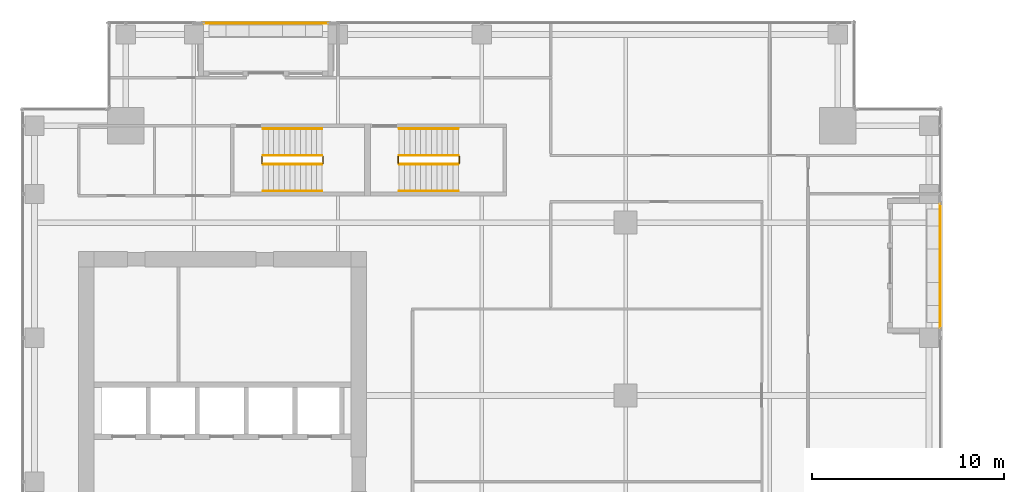
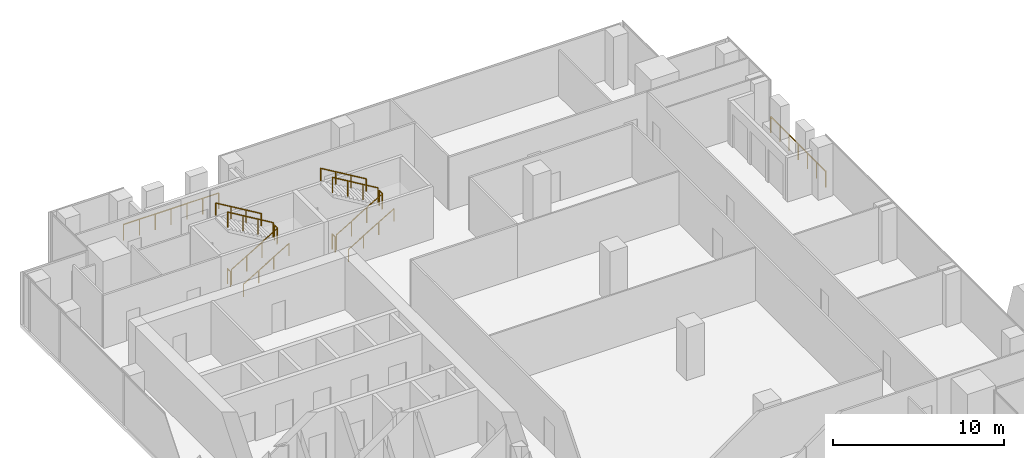
# One storey, part 37 of 38: 14 railings.
"""IFC4 building model written with IfcOpenShell, lengths in metres."""

from ifc_helpers import new_model, si_unit, direction, frame, origin, origin_2d, place, context, subcontext, project, spatial, circle, extrude, source, transform, mapped, material, type_object, element, save


model = new_model("IFC4")

# Units and contexts
model_context = context("Model", 3, precision=1e-05, world=origin(), true_north=direction((0.0, 1.0)))
body_context = subcontext(model_context, "Body", "Model", "MODEL_VIEW")
ifc_project = project(units=[si_unit("LENGTHUNIT", "METRE"), si_unit("AREAUNIT", "SQUARE_METRE"), si_unit("VOLUMEUNIT", "CUBIC_METRE"), si_unit("PLANEANGLEUNIT", "RADIAN"), si_unit("MASSUNIT", "GRAM", prefix="KILO")], contexts=[model_context])

# Site, building, storey
site_placement = place(None, origin())
site = spatial("IfcSite", under=ifc_project, at=site_placement, CompositionType="ELEMENT")
building_placement = place(site_placement, origin())
building = spatial("IfcBuilding", under=site, at=building_placement, Name="Khomas Fold Tower", CompositionType="ELEMENT")
storey_placement = place(building_placement, frame((0.0, 0.0, 196.699951171875)))
storey = spatial("IfcBuildingStorey", under=building, at=storey_placement, Name="L43", CompositionType="ELEMENT", Elevation=196.699951171875)

# Railings
ifc_material_1 = material(Name="Powder-coated steel", Category="steel")
railing_type_1 = type_object("IfcRailingType", Name="Balcony guard", PredefinedType="GUARDRAIL", material=ifc_material_1)
shared_shape_1 = source(origin(), body_context, "Body", "SweptSolid", [
    extrude(circle(Radius=0.02490234375, at=origin_2d()), frame((0.0, 0.0, 1.125), z_axis=(1.0, 0.0, 0.0), x_axis=(0.0, 1.0, 0.0)), (0.0, 0.0, 1.0), 6.43994140625),
    extrude(circle(Radius=0.02001953125, at=origin_2d()), origin(), (0.0, 0.0, 1.0), 1.099853515625),
    extrude(circle(Radius=0.02001953125, at=origin_2d()), frame((1.0732421875, 0.0, 0.0)), (0.0, 0.0, 1.0), 1.099853515625),
    extrude(circle(Radius=0.02001953125, at=origin_2d()), frame((2.146728515625, 0.0, 0.0)), (0.0, 0.0, 1.0), 1.099853515625),
    extrude(circle(Radius=0.02001953125, at=origin_2d()), frame((3.219970703125, 0.0, 0.0)), (0.0, 0.0, 1.0), 1.099853515625),
    extrude(circle(Radius=0.02001953125, at=origin_2d()), frame((4.293212890625, 0.0, 0.0)), (0.0, 0.0, 1.0), 1.099853515625),
    extrude(circle(Radius=0.02001953125, at=origin_2d()), frame((5.36669921875, 0.0, 0.0)), (0.0, 0.0, 1.0), 1.099853515625),
    extrude(circle(Radius=0.02001953125, at=origin_2d()), frame((6.43994140625, 0.0, 0.0)), (0.0, 0.0, 1.0), 1.099853515625),
])
railing_1_placement = place(storey_placement, frame((12.530029296875, 50.89990234375, -0.044921875)))
element("IfcRailing", 1, at=railing_1_placement, inside=storey, type_object=railing_type_1, Name="Balcony guard BAL-L43-N1", PredefinedType="GUARDRAIL", context=body_context, shape_type="MappedRepresentation", body=[
    mapped(shared_shape_1, transform((0.0, 0.0, 0.0))),
])
shared_shape_2 = source(origin(), body_context, "Body", "SweptSolid", [
    extrude(circle(Radius=0.02490234375, at=origin_2d()), frame((0.0, 0.0, 1.125), z_axis=(0.0, 1.0, 0.0), x_axis=(-1.0, 0.0, 0.0)), (0.0, 0.0, 1.0), 6.43994140625),
    extrude(circle(Radius=0.02001953125, at=origin_2d()), origin(), (0.0, 0.0, 1.0), 1.099853515625),
    extrude(circle(Radius=0.02001953125, at=origin_2d()), frame((0.0, 1.0732421875, 0.0)), (0.0, 0.0, 1.0), 1.099853515625),
    extrude(circle(Radius=0.02001953125, at=origin_2d()), frame((0.0, 2.146728515625, 0.0)), (0.0, 0.0, 1.0), 1.099853515625),
    extrude(circle(Radius=0.02001953125, at=origin_2d()), frame((0.0, 3.219970703125, 0.0)), (0.0, 0.0, 1.0), 1.099853515625),
    extrude(circle(Radius=0.02001953125, at=origin_2d()), frame((0.0, 4.293212890625, 0.0)), (0.0, 0.0, 1.0), 1.099853515625),
    extrude(circle(Radius=0.02001953125, at=origin_2d()), frame((0.0, 5.36669921875, 0.0)), (0.0, 0.0, 1.0), 1.099853515625),
    extrude(circle(Radius=0.02001953125, at=origin_2d()), frame((0.0, 6.43994140625, 0.0)), (0.0, 0.0, 1.0), 1.099853515625),
])
railing_2_placement = place(storey_placement, frame((50.89990234375, 35.030029296875, -0.044921875)))
element("IfcRailing", 2, at=railing_2_placement, inside=storey, type_object=railing_type_1, Name="Balcony guard BAL-L43-E4", PredefinedType="GUARDRAIL", context=body_context, shape_type="MappedRepresentation", body=[
    mapped(shared_shape_2, transform((0.0, 0.0, 0.0))),
])
ifc_material_2 = material(Name="Steel balustrade", Category="steel")
railing_type_2 = type_object("IfcRailingType", Name="Stair guard", PredefinedType="GUARDRAIL", material=ifc_material_2)
shared_shape_3 = source(origin(), body_context, "Body", "SweptSolid", [
    extrude(circle(Radius=0.02392578125, at=origin_2d()), frame((0.0, 0.0, 1.076171875), z_axis=(0.0, 1.0, 0.0), x_axis=(-1.0, 0.0, 0.0)), (0.0, 0.0, 1.0), 0.349853515625),
    extrude(circle(Radius=0.02099609375, at=origin_2d()), origin(), (0.0, 0.0, 1.0), 1.052001953125),
    extrude(circle(Radius=0.02099609375, at=origin_2d()), frame((0.0, 0.349853515625, 0.0)), (0.0, 0.0, 1.0), 1.052001953125),
])
for number, where, name in (
    (3, (18.72998046875, 43.60009765625, 2.0), "L43 ST1 stair guard 2"),
    (4, (15.550048828125, 43.60009765625, 0.0), "L43 ST1 stair guard 4"),
    (5, (25.830078125, 43.60009765625, 2.0), "L43 ST3 stair guard 2"),
    (6, (22.64990234375, 43.60009765625, 0.0), "L43 ST3 stair guard 4"),
):
    element("IfcRailing", number, at=place(storey_placement, frame(where)), inside=storey, type_object=railing_type_2, Name=name, PredefinedType="GUARDRAIL", context=body_context, shape_type="MappedRepresentation", body=[
        mapped(shared_shape_3, transform((0.0, 0.0, 0.0))),
    ])
shared_shape_4 = source(origin(), body_context, "Body", "SweptSolid", [
    extrude(circle(Radius=0.02392578125, at=origin_2d()), frame((0.0, 0.0, 1.076171875), z_axis=(0.859290745958, 0.0, 0.51148745235), x_axis=(0.0, 1.0, 0.0)), (0.0, 0.0, 1.0), 3.584228515625),
    extrude(circle(Radius=0.02099609375, at=origin_2d()), origin(), (0.0, 0.0, 1.0), 1.052001953125),
    extrude(circle(Radius=0.02099609375, at=origin_2d()), frame((1.026611328125, 0.0, 0.611083984375)), (0.0, 0.0, 1.0), 1.052001953125),
    extrude(circle(Radius=0.02099609375, at=origin_2d()), frame((2.05322265625, 0.0, 1.22216796875)), (0.0, 0.0, 1.0), 1.052001953125),
    extrude(circle(Radius=0.02099609375, at=origin_2d()), frame((3.079833984375, 0.0, 1.833251953125)), (0.0, 0.0, 1.0), 1.052001953125),
])
railing_3_placement = place(storey_placement, frame((15.60009765625, 43.550048828125, 0.166748046875)))
element("IfcRailing", 7, at=railing_3_placement, inside=storey, type_object=railing_type_2, Name="L43 ST1 stair guard 1", PredefinedType="GUARDRAIL", context=body_context, shape_type="MappedRepresentation", body=[
    mapped(shared_shape_4, transform((0.0, 0.0, 0.0))),
])
shared_shape_5 = source(origin(), body_context, "Body", "SweptSolid", [
    extrude(circle(Radius=0.02392578125, at=origin_2d()), frame((0.0, 0.0, 1.076171875), z_axis=(-0.859290745958, 0.0, 0.51148745235), x_axis=(0.0, -1.0, 0.0)), (0.0, 0.0, 1.0), 3.584228515625),
    extrude(circle(Radius=0.02099609375, at=origin_2d()), origin(), (0.0, 0.0, 1.0), 1.052001953125),
    extrude(circle(Radius=0.02099609375, at=origin_2d()), frame((-1.026611328125, 0.0, 0.611083984375)), (0.0, 0.0, 1.0), 1.052001953125),
    extrude(circle(Radius=0.02099609375, at=origin_2d()), frame((-2.05322265625, 0.0, 1.22216796875)), (0.0, 0.0, 1.0), 1.052001953125),
    extrude(circle(Radius=0.02099609375, at=origin_2d()), frame((-3.079833984375, 0.0, 1.833251953125)), (0.0, 0.0, 1.0), 1.052001953125),
])
railing_4_placement = place(storey_placement, frame((18.679931640625, 44.0, 2.166748046875)))
element("IfcRailing", 8, at=railing_4_placement, inside=storey, type_object=railing_type_2, Name="L43 ST1 stair guard 3", PredefinedType="GUARDRAIL", context=body_context, shape_type="MappedRepresentation", body=[
    mapped(shared_shape_5, transform((0.0, 0.0, 0.0))),
])
ifc_material_3 = material(Name="Steel handrail", Category="steel")
railing_type_3 = type_object("IfcRailingType", Name="Stair handrail", PredefinedType="HANDRAIL", material=ifc_material_3)
shared_shape_6 = source(origin(), body_context, "Body", "SweptSolid", [
    extrude(circle(Radius=0.02392578125, at=origin_2d()), frame((0.0, 0.0, 0.8759765625), z_axis=(0.859290745958, 0.0, 0.51148745235), x_axis=(0.0, 1.0, 0.0)), (0.0, 0.0, 1.0), 3.584228515625),
    extrude(circle(Radius=0.02099609375, at=origin_2d()), origin(), (0.0, 0.0, 1.0), 0.851806640625),
    extrude(circle(Radius=0.02099609375, at=origin_2d()), frame((1.026611328125, 0.0, 0.611083984375)), (0.0, 0.0, 1.0), 0.851806640625),
    extrude(circle(Radius=0.02099609375, at=origin_2d()), frame((2.05322265625, 0.0, 1.22216796875)), (0.0, 0.0, 1.0), 0.851806640625),
    extrude(circle(Radius=0.02099609375, at=origin_2d()), frame((3.079833984375, 0.0, 1.833251953125)), (0.0, 0.0, 1.0), 0.851806640625),
])
railing_5_placement = place(storey_placement, frame((15.60009765625, 42.14990234375, 0.166748046875)))
element("IfcRailing", 9, at=railing_5_placement, inside=storey, type_object=railing_type_3, Name="L43 ST1 stair handrail 1", PredefinedType="HANDRAIL", context=body_context, shape_type="MappedRepresentation", body=[
    mapped(shared_shape_6, transform((0.0, 0.0, 0.0))),
])
shared_shape_7 = source(origin(), body_context, "Body", "SweptSolid", [
    extrude(circle(Radius=0.02392578125, at=origin_2d()), frame((0.0, 0.0, 0.8759765625), z_axis=(-0.859290745958, 0.0, 0.51148745235), x_axis=(0.0, -1.0, 0.0)), (0.0, 0.0, 1.0), 3.584228515625),
    extrude(circle(Radius=0.02099609375, at=origin_2d()), origin(), (0.0, 0.0, 1.0), 0.851806640625),
    extrude(circle(Radius=0.02099609375, at=origin_2d()), frame((-1.026611328125, 0.0, 0.611083984375)), (0.0, 0.0, 1.0), 0.851806640625),
    extrude(circle(Radius=0.02099609375, at=origin_2d()), frame((-2.05322265625, 0.0, 1.22216796875)), (0.0, 0.0, 1.0), 0.851806640625),
    extrude(circle(Radius=0.02099609375, at=origin_2d()), frame((-3.079833984375, 0.0, 1.833251953125)), (0.0, 0.0, 1.0), 0.851806640625),
])
railing_6_placement = place(storey_placement, frame((18.679931640625, 45.39990234375, 2.166748046875)))
element("IfcRailing", 10, at=railing_6_placement, inside=storey, type_object=railing_type_3, Name="L43 ST1 stair handrail 2", PredefinedType="HANDRAIL", context=body_context, shape_type="MappedRepresentation", body=[
    mapped(shared_shape_7, transform((0.0, 0.0, 0.0))),
])
shared_shape_8 = source(origin(), body_context, "Body", "SweptSolid", [
    extrude(circle(Radius=0.02392578125, at=origin_2d()), frame((0.0, 0.0, 1.076171875), z_axis=(0.859308565015, 0.0, 0.511457515432), x_axis=(0.0, 1.0, 0.0)), (0.0, 0.0, 1.0), 3.58447265625),
    extrude(circle(Radius=0.02099609375, at=origin_2d()), origin(), (0.0, 0.0, 1.0), 1.052001953125),
    extrude(circle(Radius=0.02099609375, at=origin_2d()), frame((1.026611328125, 0.0, 0.611083984375)), (0.0, 0.0, 1.0), 1.052001953125),
    extrude(circle(Radius=0.02099609375, at=origin_2d()), frame((2.053466796875, 0.0, 1.22216796875)), (0.0, 0.0, 1.0), 1.052001953125),
    extrude(circle(Radius=0.02099609375, at=origin_2d()), frame((3.080078125, 0.0, 1.833251953125)), (0.0, 0.0, 1.0), 1.052001953125),
])
railing_7_placement = place(storey_placement, frame((22.699951171875, 43.550048828125, 0.166748046875)))
element("IfcRailing", 11, at=railing_7_placement, inside=storey, type_object=railing_type_2, Name="L43 ST3 stair guard 1", PredefinedType="GUARDRAIL", context=body_context, shape_type="MappedRepresentation", body=[
    mapped(shared_shape_8, transform((0.0, 0.0, 0.0))),
])
shared_shape_9 = source(origin(), body_context, "Body", "SweptSolid", [
    extrude(circle(Radius=0.02392578125, at=origin_2d()), frame((0.0, 0.0, 1.076171875), z_axis=(-0.859308565015, 0.0, 0.511457515432), x_axis=(0.0, -1.0, 0.0)), (0.0, 0.0, 1.0), 3.58447265625),
    extrude(circle(Radius=0.02099609375, at=origin_2d()), origin(), (0.0, 0.0, 1.0), 1.052001953125),
    extrude(circle(Radius=0.02099609375, at=origin_2d()), frame((-1.026611328125, 0.0, 0.611083984375)), (0.0, 0.0, 1.0), 1.052001953125),
    extrude(circle(Radius=0.02099609375, at=origin_2d()), frame((-2.053466796875, 0.0, 1.22216796875)), (0.0, 0.0, 1.0), 1.052001953125),
    extrude(circle(Radius=0.02099609375, at=origin_2d()), frame((-3.080078125, 0.0, 1.833251953125)), (0.0, 0.0, 1.0), 1.052001953125),
])
railing_8_placement = place(storey_placement, frame((25.780029296875, 44.0, 2.166748046875)))
element("IfcRailing", 12, at=railing_8_placement, inside=storey, type_object=railing_type_2, Name="L43 ST3 stair guard 3", PredefinedType="GUARDRAIL", context=body_context, shape_type="MappedRepresentation", body=[
    mapped(shared_shape_9, transform((0.0, 0.0, 0.0))),
])
shared_shape_10 = source(origin(), body_context, "Body", "SweptSolid", [
    extrude(circle(Radius=0.02392578125, at=origin_2d()), frame((0.0, 0.0, 0.8759765625), z_axis=(0.859308565015, 0.0, 0.511457515432), x_axis=(0.0, 1.0, 0.0)), (0.0, 0.0, 1.0), 3.58447265625),
    extrude(circle(Radius=0.02099609375, at=origin_2d()), origin(), (0.0, 0.0, 1.0), 0.851806640625),
    extrude(circle(Radius=0.02099609375, at=origin_2d()), frame((1.026611328125, 0.0, 0.611083984375)), (0.0, 0.0, 1.0), 0.851806640625),
    extrude(circle(Radius=0.02099609375, at=origin_2d()), frame((2.053466796875, 0.0, 1.22216796875)), (0.0, 0.0, 1.0), 0.851806640625),
    extrude(circle(Radius=0.02099609375, at=origin_2d()), frame((3.080078125, 0.0, 1.833251953125)), (0.0, 0.0, 1.0), 0.851806640625),
])
railing_9_placement = place(storey_placement, frame((22.699951171875, 42.14990234375, 0.166748046875)))
element("IfcRailing", 13, at=railing_9_placement, inside=storey, type_object=railing_type_3, Name="L43 ST3 stair handrail 1", PredefinedType="HANDRAIL", context=body_context, shape_type="MappedRepresentation", body=[
    mapped(shared_shape_10, transform((0.0, 0.0, 0.0))),
])
shared_shape_11 = source(origin(), body_context, "Body", "SweptSolid", [
    extrude(circle(Radius=0.02392578125, at=origin_2d()), frame((0.0, 0.0, 0.8759765625), z_axis=(-0.859308565015, 0.0, 0.511457515432), x_axis=(0.0, -1.0, 0.0)), (0.0, 0.0, 1.0), 3.58447265625),
    extrude(circle(Radius=0.02099609375, at=origin_2d()), origin(), (0.0, 0.0, 1.0), 0.851806640625),
    extrude(circle(Radius=0.02099609375, at=origin_2d()), frame((-1.026611328125, 0.0, 0.611083984375)), (0.0, 0.0, 1.0), 0.851806640625),
    extrude(circle(Radius=0.02099609375, at=origin_2d()), frame((-2.053466796875, 0.0, 1.22216796875)), (0.0, 0.0, 1.0), 0.851806640625),
    extrude(circle(Radius=0.02099609375, at=origin_2d()), frame((-3.080078125, 0.0, 1.833251953125)), (0.0, 0.0, 1.0), 0.851806640625),
])
railing_10_placement = place(storey_placement, frame((25.780029296875, 45.39990234375, 2.166748046875)))
element("IfcRailing", 14, at=railing_10_placement, inside=storey, type_object=railing_type_3, Name="L43 ST3 stair handrail 2", PredefinedType="HANDRAIL", context=body_context, shape_type="MappedRepresentation", body=[
    mapped(shared_shape_11, transform((0.0, 0.0, 0.0))),
])

save(model, "model.ifc")
